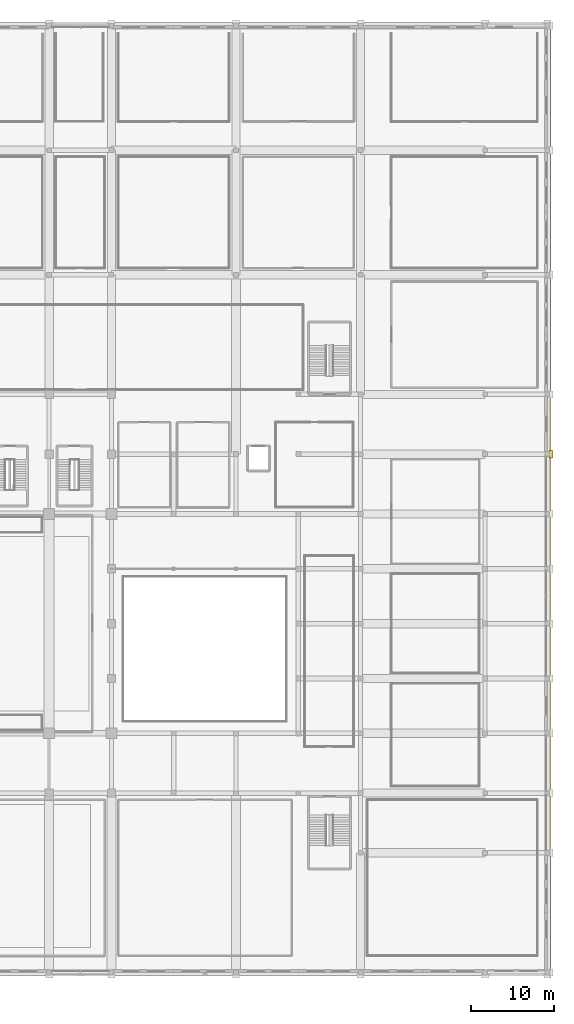
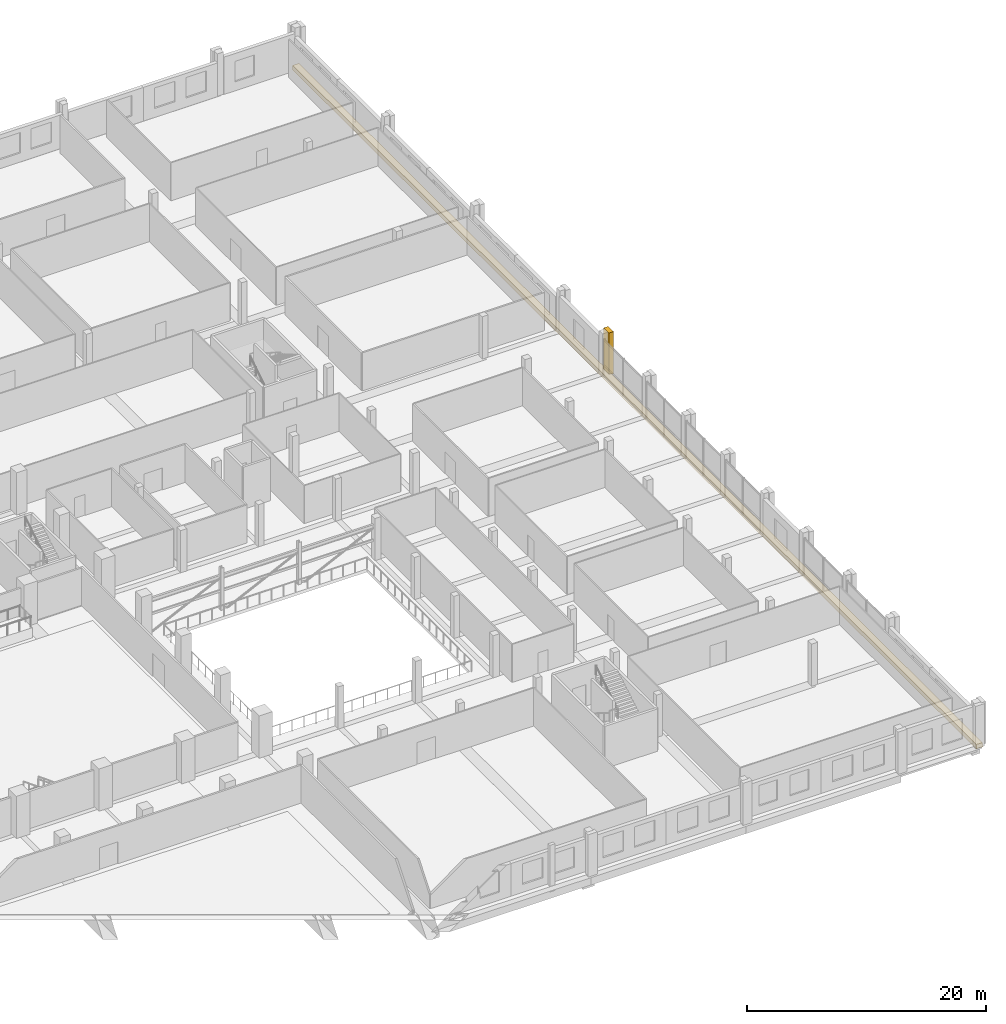
# One storey, part 67 of 68: 2 coverings.
"""IFC4 building model written with IfcOpenShell, lengths in metres."""

from ifc_helpers import new_model, si_unit, direction, frame, origin, origin_2d, place, context, subcontext, project, spatial, rectangle, extrude, material, layer, layer_set, type_object, element, save


model = new_model("IFC4")

# Units and contexts
model_context = context("Model", 3, precision=1e-05, world=origin(), true_north=direction((0.0, 1.0)))
body_context = subcontext(model_context, "Body", "Model", "MODEL_VIEW")
ifc_project = project(units=[si_unit("LENGTHUNIT", "METRE"), si_unit("AREAUNIT", "SQUARE_METRE"), si_unit("VOLUMEUNIT", "CUBIC_METRE"), si_unit("PLANEANGLEUNIT", "RADIAN"), si_unit("MASSUNIT", "GRAM", prefix="KILO")], contexts=[model_context])

# Site, building, storey
site_placement = place(None, origin())
site = spatial("IfcSite", under=ifc_project, at=site_placement, CompositionType="ELEMENT")
building_placement = place(site_placement, origin())
building = spatial("IfcBuilding", under=site, at=building_placement, Name="Akrevak Sports Hall", CompositionType="ELEMENT")
storey_placement = place(building_placement, frame((0.0, 0.0, 9.39990234375)))
storey = spatial("IfcBuildingStorey", under=building, at=storey_placement, Name="L02", CompositionType="ELEMENT", Elevation=9.39990234375)

# Coverings
ifc_material = material(Name="Limestone Ashlar", Category="stone")
ifc_layer_1 = layer(ifc_material, 0.6201171875, Name="Limestone Ashlar")
ifc_layer_set_1 = layer_set([ifc_layer_1], Name="Limestone Ashlar")
covering_type_1 = type_object("IfcCoveringType", Name="ARC-COV-CRN-LIM", PredefinedType="MOLDING", material=ifc_layer_set_1)
covering_1_placement = place(storey_placement, frame((168.139892578125, 57.0, -0.349853515625), z_axis=(0.0, 0.0, 1.0), x_axis=(0.0, 1.0, 0.0)))
element("IfcCovering", 1, at=covering_1_placement, inside=storey, type_object=covering_type_1, Name="Tripartite Base Limestone Belt Course L02-BLT-02", PredefinedType="MOLDING", context=body_context, shape_type="SweptSolid", body=[
    extrude(rectangle(XDim=114.615966796875, YDim=0.60009765625, at=origin_2d()), origin(), (0.0, 0.0, 1.0), 0.4599609375),
])
ifc_layer_2 = layer(ifc_material, 0.47998046875, Name="Limestone Ashlar")
ifc_layer_set_2 = layer_set([ifc_layer_2], Name="Limestone Ashlar")
covering_type_2 = type_object("IfcCoveringType", Name="ARC-COV-PIL-LIM", PredefinedType="CLADDING", material=ifc_layer_set_2)
covering_2_placement = place(storey_placement, frame((168.449951171875, 62.39990234375, 0.0), z_axis=(0.0, 0.0, 1.0), x_axis=(0.0, 1.0, 0.0)))
element("IfcCovering", 2, at=covering_2_placement, inside=storey, type_object=covering_type_2, Name="Giant-Order Limestone Pilaster L02-02-21", PredefinedType="CLADDING", context=body_context, shape_type="SweptSolid", body=[
    extrude(rectangle(XDim=0.8798828125, YDim=0.4599609375, at=origin_2d()), origin(), (0.0, 0.0, 1.0), 4.320068359375),
])

save(model, "model.ifc")
